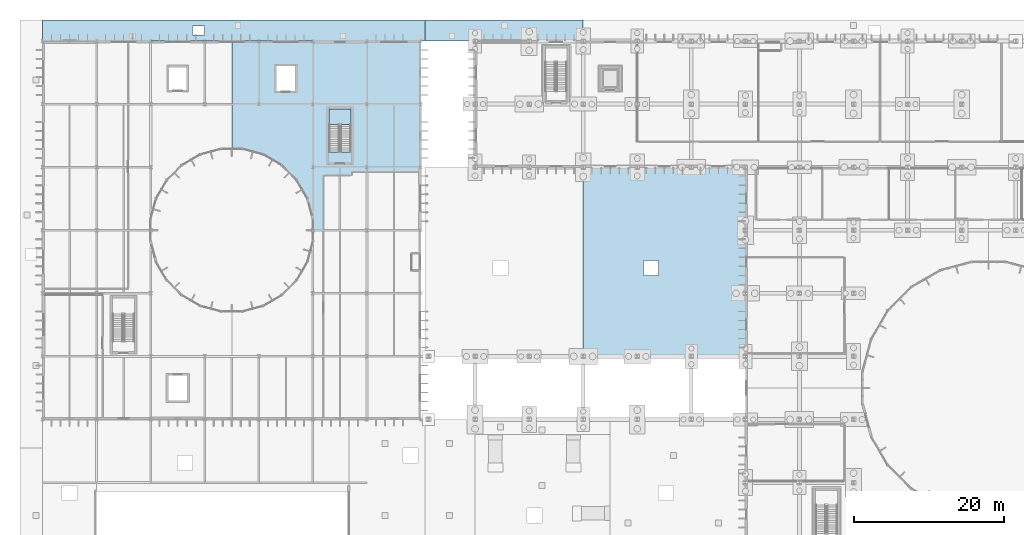
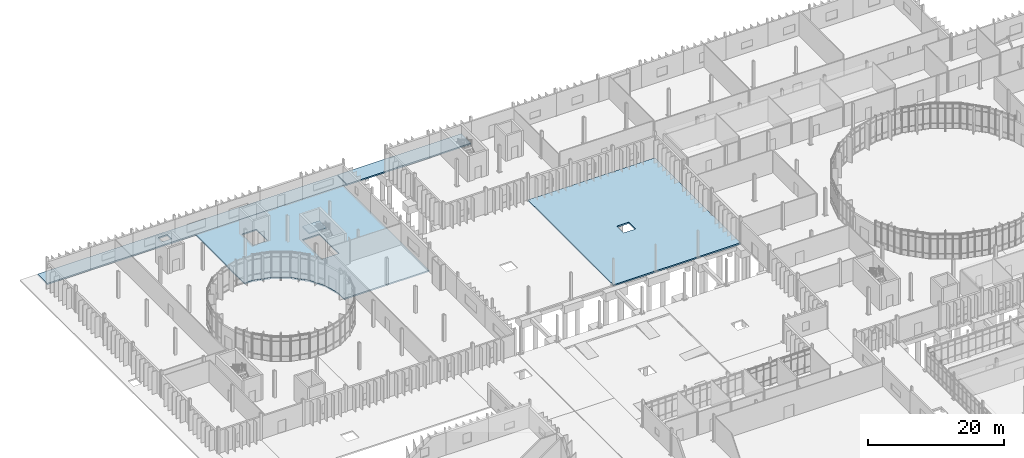
# One storey, part 62 of 118: 5 slabs, 1 element without a shape of its own.
"""IFC4 building model written with IfcOpenShell, lengths in metres."""

from ifc_helpers import new_model, si_unit, direction, frame, origin, place, context, subcontext, project, spatial, polyline, outline, extrude, material, layer, layer_set, type_object, element, aggregate, save


model = new_model("IFC4")

# Units and contexts
model_context = context("Model", 3, precision=1e-05, world=origin(), true_north=direction((0.0, 1.0)))
body_context = subcontext(model_context, "Body", "Model", "MODEL_VIEW")
ifc_project = project(units=[si_unit("LENGTHUNIT", "METRE"), si_unit("AREAUNIT", "SQUARE_METRE"), si_unit("VOLUMEUNIT", "CUBIC_METRE"), si_unit("PLANEANGLEUNIT", "RADIAN"), si_unit("MASSUNIT", "GRAM", prefix="KILO")], contexts=[model_context])

# Site, building, storey
site_placement = place(None, origin())
site = spatial("IfcSite", under=ifc_project, at=site_placement, CompositionType="ELEMENT")
building_placement = place(site_placement, origin())
building = spatial("IfcBuilding", under=site, at=building_placement, Name="Qelthora Terrace Specialist Clinic", CompositionType="ELEMENT")
storey_placement = place(building_placement, origin())
storey = spatial("IfcBuildingStorey", under=building, at=storey_placement, Name="L00", CompositionType="ELEMENT", Elevation=0.0)

# Slab
ifc_material = material(Name="Concrete C30/37", Category="concrete")
ifc_layer_1 = layer(ifc_material, 0.239990234375)
ifc_layer_set_1 = layer_set([ifc_layer_1], Name="Concrete C30/37")
slab_type_1 = type_object("IfcSlabType", Name="SLB-IMG-240-C30", PredefinedType="FLOOR", material=ifc_layer_set_1)
slab_1_placement = place(storey_placement, frame((0.0, 0.0, -0.239990234375)))
element("IfcSlab", 1, at=slab_1_placement, inside=storey, type_object=slab_type_1, Name="L00 V5 slab SLB-L00-V5-4A", PredefinedType="FLOOR", context=body_context, shape_type="SweptSolid", body=[
    extrude(outline(polyline([(50.39990234375, 109.199951171875), (50.39990234375, 84.0), (35.90771484375, 84.0), (35.90771484375, 85.40966796875), (35.177978515625, 88.133056640625), (33.768310546875, 90.57470703125), (31.774658203125, 92.568115234375), (29.3330078125, 93.977783203125), (26.609619140625, 94.70751953125), (25.199951171875, 94.70751953125), (25.199951171875, 109.199951171875), (50.39990234375, 109.199951171875)]), holes=[polyline([(41.050048828125, 100.14990234375), (38.14990234375, 100.14990234375), (38.14990234375, 94.400634765625), (41.050048828125, 94.400634765625), (41.050048828125, 100.14990234375)]), polyline([(33.64990234375, 102.550048828125), (33.64990234375, 105.85009765625), (31.14990234375, 105.85009765625), (31.14990234375, 102.550048828125), (33.64990234375, 102.550048828125)])]), origin(), (0.0, 0.0, 1.0), 0.239990234375),
])

# Stair, slab
stair_type = type_object("IfcStairType", Name="STR-175-285", PredefinedType="HALF_TURN_STAIR", material=ifc_material)
stair_placement = place(storey_placement, origin())
stair = element("IfcStair", 2, at=stair_placement, inside=storey, type_object=stair_type, Name="L00 Enclosed Exit Stair ST-02", PredefinedType="HALF_TURN_STAIR")
ifc_layer_2 = layer(ifc_material, 0.199951171875)
ifc_layer_set_2 = layer_set([ifc_layer_2], Name="Concrete C30/37")
slab_type_2 = type_object("IfcSlabType", Name="SLB-LAND-200-C30", PredefinedType="LANDING", material=ifc_layer_set_2)
slab_2_placement = place(storey_placement, frame((0.0, 0.0, 2.199951171875)))
slab_2 = element("IfcSlab", 3, at=slab_2_placement, type_object=slab_type_2, Name="ST-02 landing 1", PredefinedType="LANDING", context=body_context, shape_type="SweptSolid", body=[
    extrude(outline(polyline([(41.050048828125, 98.10498046875), (41.050048828125, 100.14990234375), (38.14990234375, 100.14990234375), (38.14990234375, 98.10498046875), (41.050048828125, 98.10498046875)])), origin(), (0.0, 0.0, 1.0), 0.199951171875),
])
aggregate(stair, [slab_2])

# Slabs
ifc_layer_3 = layer(ifc_material, 0.25)
ifc_layer_set_3 = layer_set([ifc_layer_3], Name="Concrete C30/37")
slab_type_3 = type_object("IfcSlabType", Name="SLB-TERR-250-C30", PredefinedType="FLOOR", material=ifc_layer_set_3)
slab_3_placement = place(storey_placement, frame((0.0, 0.0, -0.25)))
element("IfcSlab", 4, at=slab_3_placement, inside=storey, type_object=slab_type_3, Name="L00 V1 slab SLB-L00-NPLZ1W", PredefinedType="FLOOR", context=body_context, shape_type="SweptSolid", body=[
    extrude(outline(polyline([(0.0, 109.199951171875), (0.0, 112.0), (50.85009765625, 112.0), (50.85009765625, 109.199951171875), (0.0, 109.199951171875)]), holes=[polyline([(20.0, 110.0), (21.60009765625, 110.0), (21.60009765625, 111.199951171875), (20.0, 111.199951171875), (20.0, 110.0)])]), origin(), (0.0, 0.0, 1.0), 0.25),
])
slab_4_placement = place(storey_placement, frame((0.0, 0.0, -0.25)))
element("IfcSlab", 5, at=slab_4_placement, inside=storey, type_object=slab_type_3, Name="L00 V1 slab SLB-L00-NPLZ1E", PredefinedType="FLOOR", context=body_context, shape_type="SweptSolid", body=[
    extrude(outline(polyline([(50.949951171875, 109.199951171875), (50.949951171875, 112.0), (72.0, 112.0), (72.0, 109.199951171875), (50.949951171875, 109.199951171875)])), origin(), (0.0, 0.0, 1.0), 0.25),
])
slab_5_placement = place(storey_placement, frame((0.0, 0.0, -0.25)))
element("IfcSlab", 6, at=slab_5_placement, inside=storey, type_object=slab_type_3, Name="L00 V1 slab SLB-L00-CRT1B", PredefinedType="FLOOR", context=body_context, shape_type="SweptSolid", body=[
    extrude(outline(polyline([(72.0, 67.199951171875), (72.0, 92.39990234375), (93.60009765625, 92.39990234375), (93.60009765625, 67.199951171875), (72.0, 67.199951171875)]), holes=[polyline([(80.0, 78.0), (82.0, 78.0), (82.0, 80.0), (80.0, 80.0), (80.0, 78.0)])]), origin(), (0.0, 0.0, 1.0), 0.25),
])

save(model, "model.ifc")
